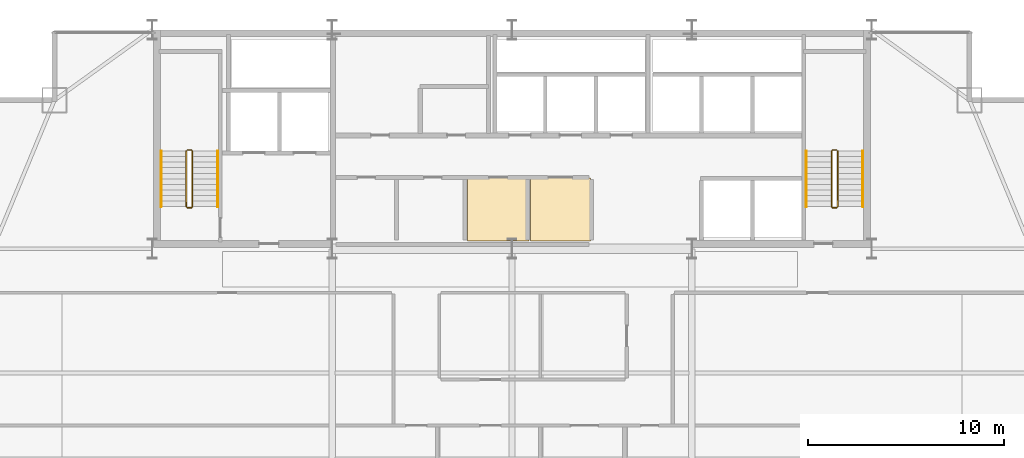
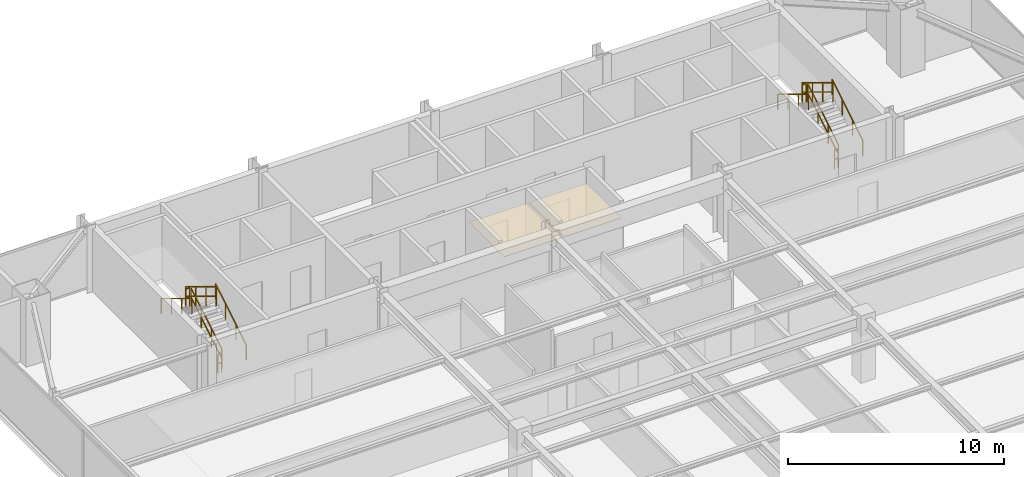
# One storey, part 31 of 31: 12 railings, 2 coverings.
"""IFC4 building model written with IfcOpenShell, lengths in metres."""

from ifc_helpers import new_model, si_unit, direction, frame, origin, origin_2d, place, context, subcontext, project, spatial, polyline, rectangle, outline, extrude, material, layer, layer_set, type_object, element, save


model = new_model("IFC4")

# Units and contexts
model_context = context("Model", 3, precision=1e-05, world=origin(), true_north=direction((0.0, 1.0)))
body_context = subcontext(model_context, "Body", "Model", "MODEL_VIEW")
ifc_project = project(units=[si_unit("LENGTHUNIT", "METRE"), si_unit("AREAUNIT", "SQUARE_METRE"), si_unit("VOLUMEUNIT", "CUBIC_METRE"), si_unit("PLANEANGLEUNIT", "RADIAN"), si_unit("MASSUNIT", "GRAM", prefix="KILO")], contexts=[model_context])

# Site, building, storey
site_placement = place(None, origin())
site = spatial("IfcSite", under=ifc_project, at=site_placement, CompositionType="ELEMENT")
building_placement = place(site_placement, origin())
building = spatial("IfcBuilding", under=site, at=building_placement, Name="Varnel Quay Broadcast Tower", CompositionType="ELEMENT")
storey_placement = place(building_placement, frame((0.0, 0.0, 157.199951171875)))
storey = spatial("IfcBuildingStorey", under=building, at=storey_placement, Name="L38", CompositionType="ELEMENT", Elevation=157.199951171875)

# Coverings
ifc_material_1 = material(Name="Micro-Perforated Acoustic Ceiling Tile")
ifc_layer = layer(ifc_material_1, 0.0400390625, Name="Micro-Perforated Acoustic Ceiling Tile")
ifc_layer_set = layer_set([ifc_layer], Name="Micro-Perforated Acoustic Ceiling Tile")
covering_type = type_object("IfcCoveringType", Name="Cov_AcousticCeiling", PredefinedType="CEILING", material=ifc_layer_set)
covering_1_placement = place(storey_placement, frame((0.0, 0.0, 2.580078125)))
element("IfcCovering", 1, at=covering_1_placement, inside=storey, type_object=covering_type, Name="L38 Broadcast First-Aid & Quiet Room Acoustic Ceiling", PredefinedType="CEILING", context=body_context, shape_type="SweptSolid", body=[
    extrude(outline(polyline([(31.735107421875, 35.985107421875), (34.864990234375, 35.985107421875), (34.864990234375, 39.215087890625), (31.735107421875, 39.215087890625), (31.735107421875, 35.985107421875)])), origin(), (0.0, 0.0, 1.0), 0.0400390625),
])
covering_2_placement = place(storey_placement, frame((0.0, 0.0, 2.580078125)))
element("IfcCovering", 2, at=covering_2_placement, inside=storey, type_object=covering_type, Name="L38 Zone Lighting Dimmer Room Acoustic Ceiling", PredefinedType="CEILING", context=body_context, shape_type="SweptSolid", body=[
    extrude(outline(polyline([(34.93505859375, 35.985107421875), (38.014892578125, 35.985107421875), (38.014892578125, 39.215087890625), (34.93505859375, 39.215087890625), (34.93505859375, 35.985107421875)])), origin(), (0.0, 0.0, 1.0), 0.0400390625),
])

# Railings
ifc_material_2 = material(Name="Painted Steel Guard and Handrail CSA G40.21 350W", Category="steel")
railing_type_1 = type_object("IfcRailingType", Name="Rail_StairGuard1100", PredefinedType="GUARDRAIL", material=ifc_material_2)
railing_1_placement = place(storey_placement, frame((17.64990234375, 37.75, 0.1728515625)))
element("IfcRailing", 3, at=railing_1_placement, inside=storey, type_object=railing_type_1, Name="L38 ST-01 stair guard 1", PredefinedType="GUARDRAIL", context=body_context, shape_type="SweptSolid", body=[
    extrude(rectangle(XDim=0.048095703125, YDim=0.048095703125, at=origin_2d()), frame((0.0, 0.0, 1.076171875), z_axis=(0.0, 0.855202751398, 0.518293598264), x_axis=(-1.0, 0.0, 0.0)), (0.0, 0.0, 1.0), 3.332763671875),
    extrude(rectangle(XDim=0.048095703125, YDim=0.048095703125, at=origin_2d()), frame((0.0, 0.0, 0.550048828125), z_axis=(0.0, 0.855202751398, 0.518293598264), x_axis=(-1.0, 0.0, 0.0)), (0.0, 0.0, 1.0), 3.332763671875),
    extrude(rectangle(XDim=0.0419921875, YDim=0.0419921875, at=origin_2d()), origin(), (0.0, 0.0, 1.0), 1.052001953125),
    extrude(rectangle(XDim=0.0419921875, YDim=0.0419921875, at=origin_2d()), frame((0.0, 0.949951171875, 0.57568359375)), (0.0, 0.0, 1.0), 1.052001953125),
    extrude(rectangle(XDim=0.0419921875, YDim=0.0419921875, at=origin_2d()), frame((0.0, 1.900146484375, 1.151611328125)), (0.0, 0.0, 1.0), 1.052001953125),
    extrude(rectangle(XDim=0.0419921875, YDim=0.0419921875, at=origin_2d()), frame((0.0, 2.85009765625, 1.727294921875)), (0.0, 0.0, 1.0), 1.052001953125),
])
railing_2_placement = place(storey_placement, frame((17.60009765625, 40.64990234375, 1.900146484375)))
element("IfcRailing", 4, at=railing_2_placement, inside=storey, type_object=railing_type_1, Name="L38 ST-01 stair guard 2", PredefinedType="GUARDRAIL", context=body_context, shape_type="SweptSolid", body=[
    extrude(rectangle(XDim=0.048095703125, YDim=0.048095703125, at=origin_2d()), frame((0.0, 0.0, 1.076171875), z_axis=(-1.0, 0.0, 0.0), x_axis=(0.0, -1.0, 0.0)), (0.0, 0.0, 1.0), 0.2001953125),
    extrude(rectangle(XDim=0.048095703125, YDim=0.048095703125, at=origin_2d()), frame((0.0, 0.0, 0.550048828125), z_axis=(-1.0, 0.0, 0.0), x_axis=(0.0, -1.0, 0.0)), (0.0, 0.0, 1.0), 0.2001953125),
    extrude(rectangle(XDim=0.0419921875, YDim=0.0419921875, at=origin_2d()), origin(), (0.0, 0.0, 1.0), 1.052001953125),
    extrude(rectangle(XDim=0.0419921875, YDim=0.0419921875, at=origin_2d()), frame((-0.2001953125, 0.0, 0.0)), (0.0, 0.0, 1.0), 1.052001953125),
])
railing_3_placement = place(storey_placement, frame((17.35009765625, 40.60009765625, 2.07275390625)))
element("IfcRailing", 5, at=railing_3_placement, inside=storey, type_object=railing_type_1, Name="L38 ST-01 stair guard 3", PredefinedType="GUARDRAIL", context=body_context, shape_type="SweptSolid", body=[
    extrude(rectangle(XDim=0.048095703125, YDim=0.048095703125, at=origin_2d()), frame((0.0, 0.0, 1.076171875), z_axis=(0.0, -0.855202751398, 0.518293598264), x_axis=(1.0, 0.0, 0.0)), (0.0, 0.0, 1.0), 3.332763671875),
    extrude(rectangle(XDim=0.048095703125, YDim=0.048095703125, at=origin_2d()), frame((0.0, 0.0, 0.550048828125), z_axis=(0.0, -0.855202751398, 0.518293598264), x_axis=(1.0, 0.0, 0.0)), (0.0, 0.0, 1.0), 3.332763671875),
    extrude(rectangle(XDim=0.0419921875, YDim=0.0419921875, at=origin_2d()), origin(), (0.0, 0.0, 1.0), 1.052001953125),
    extrude(rectangle(XDim=0.0419921875, YDim=0.0419921875, at=origin_2d()), frame((0.0, -0.949951171875, 0.57568359375)), (0.0, 0.0, 1.0), 1.052001953125),
    extrude(rectangle(XDim=0.0419921875, YDim=0.0419921875, at=origin_2d()), frame((0.0, -1.900146484375, 1.151611328125)), (0.0, 0.0, 1.0), 1.052001953125),
    extrude(rectangle(XDim=0.0419921875, YDim=0.0419921875, at=origin_2d()), frame((0.0, -2.85009765625, 1.727294921875)), (0.0, 0.0, 1.0), 1.052001953125),
])
railing_4_placement = place(storey_placement, frame((17.60009765625, 37.699951171875, 0.0)))
element("IfcRailing", 6, at=railing_4_placement, inside=storey, type_object=railing_type_1, Name="L38 ST-01 stair guard 4", PredefinedType="GUARDRAIL", context=body_context, shape_type="SweptSolid", body=[
    extrude(rectangle(XDim=0.048095703125, YDim=0.048095703125, at=origin_2d()), frame((0.0, 0.0, 1.076171875), z_axis=(-1.0, 0.0, 0.0), x_axis=(0.0, -1.0, 0.0)), (0.0, 0.0, 1.0), 0.2001953125),
    extrude(rectangle(XDim=0.048095703125, YDim=0.048095703125, at=origin_2d()), frame((0.0, 0.0, 0.550048828125), z_axis=(-1.0, 0.0, 0.0), x_axis=(0.0, -1.0, 0.0)), (0.0, 0.0, 1.0), 0.2001953125),
    extrude(rectangle(XDim=0.0419921875, YDim=0.0419921875, at=origin_2d()), origin(), (0.0, 0.0, 1.0), 1.052001953125),
    extrude(rectangle(XDim=0.0419921875, YDim=0.0419921875, at=origin_2d()), frame((-0.2001953125, 0.0, 0.0)), (0.0, 0.0, 1.0), 1.052001953125),
])
railing_5_placement = place(storey_placement, frame((50.64990234375, 37.75, 0.1728515625)))
element("IfcRailing", 7, at=railing_5_placement, inside=storey, type_object=railing_type_1, Name="L38 ST-02 stair guard 1", PredefinedType="GUARDRAIL", context=body_context, shape_type="SweptSolid", body=[
    extrude(rectangle(XDim=0.048095703125, YDim=0.048095703125, at=origin_2d()), frame((0.0, 0.0, 1.076171875), z_axis=(0.0, 0.855202751398, 0.518293598264), x_axis=(-1.0, 0.0, 0.0)), (0.0, 0.0, 1.0), 3.332763671875),
    extrude(rectangle(XDim=0.048095703125, YDim=0.048095703125, at=origin_2d()), frame((0.0, 0.0, 0.550048828125), z_axis=(0.0, 0.855202751398, 0.518293598264), x_axis=(-1.0, 0.0, 0.0)), (0.0, 0.0, 1.0), 3.332763671875),
    extrude(rectangle(XDim=0.0419921875, YDim=0.0419921875, at=origin_2d()), origin(), (0.0, 0.0, 1.0), 1.052001953125),
    extrude(rectangle(XDim=0.0419921875, YDim=0.0419921875, at=origin_2d()), frame((0.0, 0.949951171875, 0.57568359375)), (0.0, 0.0, 1.0), 1.052001953125),
    extrude(rectangle(XDim=0.0419921875, YDim=0.0419921875, at=origin_2d()), frame((0.0, 1.900146484375, 1.151611328125)), (0.0, 0.0, 1.0), 1.052001953125),
    extrude(rectangle(XDim=0.0419921875, YDim=0.0419921875, at=origin_2d()), frame((0.0, 2.85009765625, 1.727294921875)), (0.0, 0.0, 1.0), 1.052001953125),
])
railing_6_placement = place(storey_placement, frame((50.60009765625, 40.64990234375, 1.900146484375)))
element("IfcRailing", 8, at=railing_6_placement, inside=storey, type_object=railing_type_1, Name="L38 ST-02 stair guard 2", PredefinedType="GUARDRAIL", context=body_context, shape_type="SweptSolid", body=[
    extrude(rectangle(XDim=0.048095703125, YDim=0.048095703125, at=origin_2d()), frame((0.0, 0.0, 1.076171875), z_axis=(-1.0, 0.0, 0.0), x_axis=(0.0, -1.0, 0.0)), (0.0, 0.0, 1.0), 0.2001953125),
    extrude(rectangle(XDim=0.048095703125, YDim=0.048095703125, at=origin_2d()), frame((0.0, 0.0, 0.550048828125), z_axis=(-1.0, 0.0, 0.0), x_axis=(0.0, -1.0, 0.0)), (0.0, 0.0, 1.0), 0.2001953125),
    extrude(rectangle(XDim=0.0419921875, YDim=0.0419921875, at=origin_2d()), origin(), (0.0, 0.0, 1.0), 1.052001953125),
    extrude(rectangle(XDim=0.0419921875, YDim=0.0419921875, at=origin_2d()), frame((-0.2001953125, 0.0, 0.0)), (0.0, 0.0, 1.0), 1.052001953125),
])
railing_7_placement = place(storey_placement, frame((50.35009765625, 40.60009765625, 2.07275390625)))
element("IfcRailing", 9, at=railing_7_placement, inside=storey, type_object=railing_type_1, Name="L38 ST-02 stair guard 3", PredefinedType="GUARDRAIL", context=body_context, shape_type="SweptSolid", body=[
    extrude(rectangle(XDim=0.048095703125, YDim=0.048095703125, at=origin_2d()), frame((0.0, 0.0, 1.076171875), z_axis=(0.0, -0.855202751398, 0.518293598264), x_axis=(1.0, 0.0, 0.0)), (0.0, 0.0, 1.0), 3.332763671875),
    extrude(rectangle(XDim=0.048095703125, YDim=0.048095703125, at=origin_2d()), frame((0.0, 0.0, 0.550048828125), z_axis=(0.0, -0.855202751398, 0.518293598264), x_axis=(1.0, 0.0, 0.0)), (0.0, 0.0, 1.0), 3.332763671875),
    extrude(rectangle(XDim=0.0419921875, YDim=0.0419921875, at=origin_2d()), origin(), (0.0, 0.0, 1.0), 1.052001953125),
    extrude(rectangle(XDim=0.0419921875, YDim=0.0419921875, at=origin_2d()), frame((0.0, -0.949951171875, 0.57568359375)), (0.0, 0.0, 1.0), 1.052001953125),
    extrude(rectangle(XDim=0.0419921875, YDim=0.0419921875, at=origin_2d()), frame((0.0, -1.900146484375, 1.151611328125)), (0.0, 0.0, 1.0), 1.052001953125),
    extrude(rectangle(XDim=0.0419921875, YDim=0.0419921875, at=origin_2d()), frame((0.0, -2.85009765625, 1.727294921875)), (0.0, 0.0, 1.0), 1.052001953125),
])
railing_8_placement = place(storey_placement, frame((50.60009765625, 37.699951171875, 0.0)))
element("IfcRailing", 10, at=railing_8_placement, inside=storey, type_object=railing_type_1, Name="L38 ST-02 stair guard 4", PredefinedType="GUARDRAIL", context=body_context, shape_type="SweptSolid", body=[
    extrude(rectangle(XDim=0.048095703125, YDim=0.048095703125, at=origin_2d()), frame((0.0, 0.0, 1.076171875), z_axis=(-1.0, 0.0, 0.0), x_axis=(0.0, -1.0, 0.0)), (0.0, 0.0, 1.0), 0.2001953125),
    extrude(rectangle(XDim=0.048095703125, YDim=0.048095703125, at=origin_2d()), frame((0.0, 0.0, 0.550048828125), z_axis=(-1.0, 0.0, 0.0), x_axis=(0.0, -1.0, 0.0)), (0.0, 0.0, 1.0), 0.2001953125),
    extrude(rectangle(XDim=0.0419921875, YDim=0.0419921875, at=origin_2d()), origin(), (0.0, 0.0, 1.0), 1.052001953125),
    extrude(rectangle(XDim=0.0419921875, YDim=0.0419921875, at=origin_2d()), frame((-0.2001953125, 0.0, 0.0)), (0.0, 0.0, 1.0), 1.052001953125),
])
railing_type_2 = type_object("IfcRailingType", Name="Rail_StairHandrail900", PredefinedType="HANDRAIL", material=ifc_material_2)
railing_9_placement = place(storey_placement, frame((18.949951171875, 37.75, 0.1728515625)))
element("IfcRailing", 11, at=railing_9_placement, inside=storey, type_object=railing_type_2, Name="L38 ST-01 stair handrail 1", PredefinedType="HANDRAIL", context=body_context, shape_type="SweptSolid", body=[
    extrude(rectangle(XDim=0.048095703125, YDim=0.048095703125, at=origin_2d()), frame((0.0, 0.0, 0.8759765625), z_axis=(0.0, 0.855202751398, 0.518293598264), x_axis=(-1.0, 0.0, 0.0)), (0.0, 0.0, 1.0), 3.332763671875),
    extrude(rectangle(XDim=0.0419921875, YDim=0.0419921875, at=origin_2d()), origin(), (0.0, 0.0, 1.0), 0.851806640625),
    extrude(rectangle(XDim=0.0419921875, YDim=0.0419921875, at=origin_2d()), frame((0.0, 0.949951171875, 0.57568359375)), (0.0, 0.0, 1.0), 0.851806640625),
    extrude(rectangle(XDim=0.0419921875, YDim=0.0419921875, at=origin_2d()), frame((0.0, 1.900146484375, 1.151611328125)), (0.0, 0.0, 1.0), 0.851806640625),
    extrude(rectangle(XDim=0.0419921875, YDim=0.0419921875, at=origin_2d()), frame((0.0, 2.85009765625, 1.727294921875)), (0.0, 0.0, 1.0), 0.851806640625),
])
railing_10_placement = place(storey_placement, frame((16.050048828125, 40.60009765625, 2.07275390625)))
element("IfcRailing", 12, at=railing_10_placement, inside=storey, type_object=railing_type_2, Name="L38 ST-01 stair handrail 2", PredefinedType="HANDRAIL", context=body_context, shape_type="SweptSolid", body=[
    extrude(rectangle(XDim=0.048095703125, YDim=0.048095703125, at=origin_2d()), frame((0.0, 0.0, 0.8759765625), z_axis=(0.0, -0.855202751398, 0.518293598264), x_axis=(1.0, 0.0, 0.0)), (0.0, 0.0, 1.0), 3.332763671875),
    extrude(rectangle(XDim=0.0419921875, YDim=0.0419921875, at=origin_2d()), origin(), (0.0, 0.0, 1.0), 0.851806640625),
    extrude(rectangle(XDim=0.0419921875, YDim=0.0419921875, at=origin_2d()), frame((0.0, -0.949951171875, 0.57568359375)), (0.0, 0.0, 1.0), 0.851806640625),
    extrude(rectangle(XDim=0.0419921875, YDim=0.0419921875, at=origin_2d()), frame((0.0, -1.900146484375, 1.151611328125)), (0.0, 0.0, 1.0), 0.851806640625),
    extrude(rectangle(XDim=0.0419921875, YDim=0.0419921875, at=origin_2d()), frame((0.0, -2.85009765625, 1.727294921875)), (0.0, 0.0, 1.0), 0.851806640625),
])
railing_11_placement = place(storey_placement, frame((51.949951171875, 37.75, 0.1728515625)))
element("IfcRailing", 13, at=railing_11_placement, inside=storey, type_object=railing_type_2, Name="L38 ST-02 stair handrail 1", PredefinedType="HANDRAIL", context=body_context, shape_type="SweptSolid", body=[
    extrude(rectangle(XDim=0.048095703125, YDim=0.048095703125, at=origin_2d()), frame((0.0, 0.0, 0.8759765625), z_axis=(0.0, 0.855202751398, 0.518293598264), x_axis=(-1.0, 0.0, 0.0)), (0.0, 0.0, 1.0), 3.332763671875),
    extrude(rectangle(XDim=0.0419921875, YDim=0.0419921875, at=origin_2d()), origin(), (0.0, 0.0, 1.0), 0.851806640625),
    extrude(rectangle(XDim=0.0419921875, YDim=0.0419921875, at=origin_2d()), frame((0.0, 0.949951171875, 0.57568359375)), (0.0, 0.0, 1.0), 0.851806640625),
    extrude(rectangle(XDim=0.0419921875, YDim=0.0419921875, at=origin_2d()), frame((0.0, 1.900146484375, 1.151611328125)), (0.0, 0.0, 1.0), 0.851806640625),
    extrude(rectangle(XDim=0.0419921875, YDim=0.0419921875, at=origin_2d()), frame((0.0, 2.85009765625, 1.727294921875)), (0.0, 0.0, 1.0), 0.851806640625),
])
railing_12_placement = place(storey_placement, frame((49.050048828125, 40.60009765625, 2.07275390625)))
element("IfcRailing", 14, at=railing_12_placement, inside=storey, type_object=railing_type_2, Name="L38 ST-02 stair handrail 2", PredefinedType="HANDRAIL", context=body_context, shape_type="SweptSolid", body=[
    extrude(rectangle(XDim=0.048095703125, YDim=0.048095703125, at=origin_2d()), frame((0.0, 0.0, 0.8759765625), z_axis=(0.0, -0.855202751398, 0.518293598264), x_axis=(1.0, 0.0, 0.0)), (0.0, 0.0, 1.0), 3.332763671875),
    extrude(rectangle(XDim=0.0419921875, YDim=0.0419921875, at=origin_2d()), origin(), (0.0, 0.0, 1.0), 0.851806640625),
    extrude(rectangle(XDim=0.0419921875, YDim=0.0419921875, at=origin_2d()), frame((0.0, -0.949951171875, 0.57568359375)), (0.0, 0.0, 1.0), 0.851806640625),
    extrude(rectangle(XDim=0.0419921875, YDim=0.0419921875, at=origin_2d()), frame((0.0, -1.900146484375, 1.151611328125)), (0.0, 0.0, 1.0), 0.851806640625),
    extrude(rectangle(XDim=0.0419921875, YDim=0.0419921875, at=origin_2d()), frame((0.0, -2.85009765625, 1.727294921875)), (0.0, 0.0, 1.0), 0.851806640625),
])

save(model, "model.ifc")
